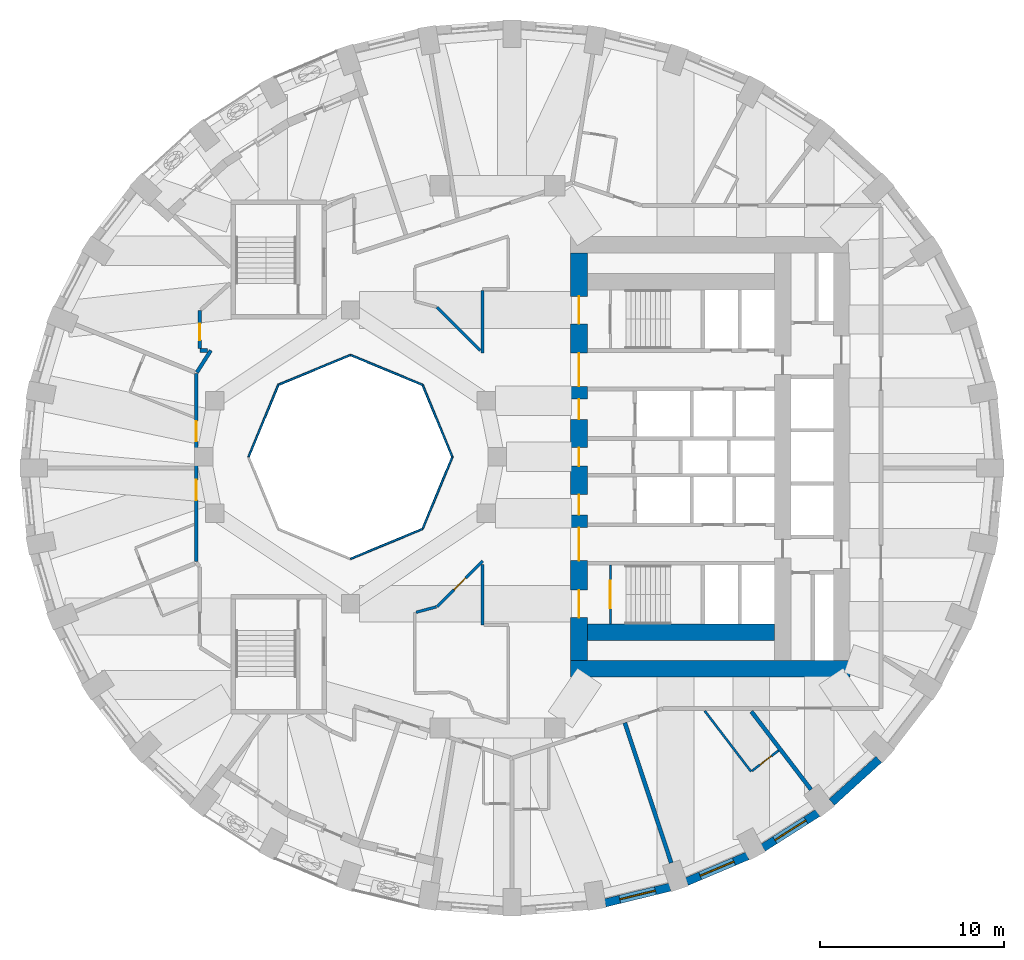
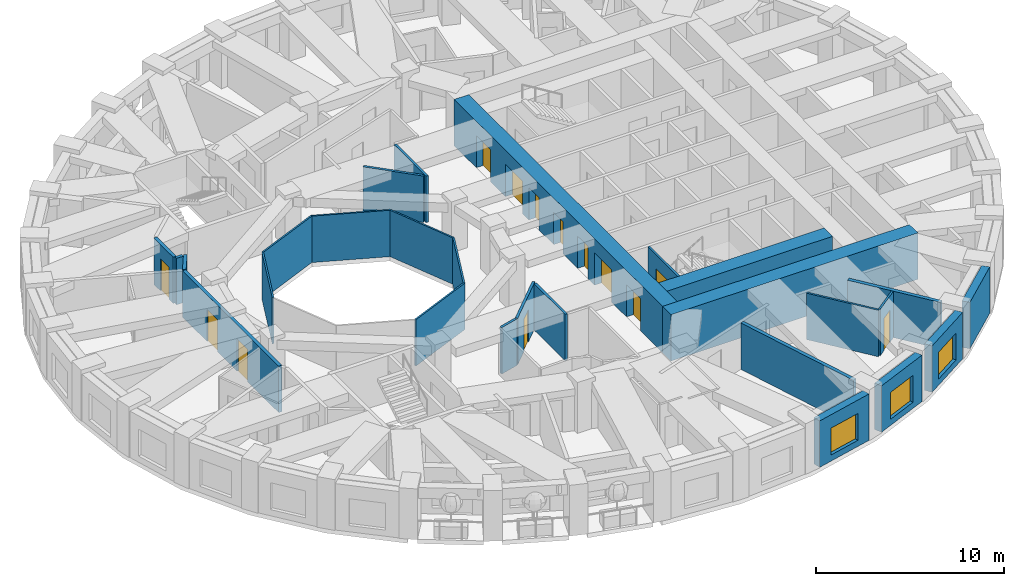
# One storey, part 5 of 12: 27 walls, 13 doors, 3 windows, 16 openings.
"""IFC4 building model written with IfcOpenShell, lengths in metres."""

import ifcopenshell
import ifcopenshell.guid

model = None  # the IFC model being written
_history = None  # IfcOwnerHistory: only IFC2X3 demands one
_inside = {}  # id of a spatial element -> (the spatial element, [elements in it])
_under = {}  # id of a project, library or spatial element -> (it, [spatial elements below it])
_declared = {}  # id of a project -> (the project, [libraries it declares])
_typed = {}  # id of a type object -> (the type object, [elements of that type])
_made_of = {}  # id of a material, layer set ... -> (it, [elements and type objects made of it])


def new_model(schema):
    """Start an empty IFC model of exactly this schema.

    Asked for "IFC4X3", IfcOpenShell would pick the latest addendum, in which some entities
    have other attributes; the version numbers below select the first issue.
    IFC2X3 requires an IfcOwnerHistory on every rooted entity: one is made here for all.
    """
    global model, _history
    if schema == "IFC4X3":
        model = ifcopenshell.file(schema_version=(4, 3, 0, 0))
    else:
        model = ifcopenshell.file(schema=schema)
    _inside.clear()
    _under.clear()
    _declared.clear()
    _typed.clear()
    _made_of.clear()
    _history = None
    if model.schema == "IFC2X3":
        org = make("IfcOrganization", Name="unknown")
        user = make(
            "IfcPersonAndOrganization",
            ThePerson=make("IfcPerson", FamilyName="unknown"),
            TheOrganization=org,
        )
        app = make(
            "IfcApplication",
            ApplicationDeveloper=org,
            Version="unknown",
            ApplicationFullName="unknown",
            ApplicationIdentifier="unknown",
        )
        _history = make(
            "IfcOwnerHistory",
            OwningUser=user,
            OwningApplication=app,
            ChangeAction="ADDED",
            CreationDate=0,
        )
    return model


def make(cls, **values):
    """One entity of the class cls with the attributes given. An attribute that is None is left unset."""
    return model.create_entity(
        cls, **{name: value for name, value in values.items() if value is not None}
    )


def rooted(cls, **values):
    """An entity with a GlobalId (a new one), such as an element, a storey or a relation."""
    return make(cls, GlobalId=ifcopenshell.guid.new(), OwnerHistory=_history, **values)


def si_unit(unit_type, name, prefix=None):
    """IfcSIUnit, for example si_unit("LENGTHUNIT", "METRE", prefix="MILLI")."""
    return make("IfcSIUnit", UnitType=unit_type, Prefix=prefix, Name=name)


def assignment(units):
    """IfcUnitAssignment: the units of a project."""
    return None if units is None else make("IfcUnitAssignment", Units=units)


def point(xyz):
    """IfcCartesianPoint."""
    return None if xyz is None else make("IfcCartesianPoint", Coordinates=xyz)


def direction(xyz):
    """IfcDirection."""
    return None if xyz is None else make("IfcDirection", DirectionRatios=xyz)


def frame(location, z_axis=None, x_axis=None):
    """IfcAxis2Placement3D, a coordinate frame: its origin and axes. An axis left out is left unset."""
    return make(
        "IfcAxis2Placement3D",
        Location=point(location),
        Axis=direction(z_axis),
        RefDirection=direction(x_axis),
    )


def frame_2d(location, x_axis=None):
    """IfcAxis2Placement2D, a coordinate frame in the plane: its origin and x axis."""
    return make(
        "IfcAxis2Placement2D", Location=point(location), RefDirection=direction(x_axis)
    )


def origin():
    """The frame at (0, 0, 0) with its axes left unset."""
    return frame((0.0, 0.0, 0.0))


def place(relative_to, where):
    """IfcLocalPlacement: puts the frame where relative to a parent placement (None: the world)."""
    return make(
        "IfcLocalPlacement", PlacementRelTo=relative_to, RelativePlacement=where
    )


def context(
    kind, dimensions, precision=None, world=None, true_north=None, identifier=None
):
    """IfcGeometricRepresentationContext, for example the 3D "Model" context."""
    return make(
        "IfcGeometricRepresentationContext",
        ContextIdentifier=identifier,
        ContextType=kind,
        CoordinateSpaceDimension=dimensions,
        Precision=precision,
        WorldCoordinateSystem=world,
        TrueNorth=true_north,
    )


def subcontext(parent, identifier, kind, view, scale=None):
    """IfcGeometricRepresentationSubContext, for example "Body" below "Model"."""
    return make(
        "IfcGeometricRepresentationSubContext",
        ContextIdentifier=identifier,
        ContextType=kind,
        ParentContext=parent,
        TargetScale=scale,
        TargetView=view,
    )


def project(units=None, contexts=None):
    """IfcProject with its units and contexts."""
    return rooted(
        "IfcProject",
        Name="project",
        RepresentationContexts=contexts,
        UnitsInContext=assignment(units),
    )


def spatial(cls, under=None, at=None, **own):
    """A site, building, storey or space (cls), placed at a placement, below another one or the project."""
    s = rooted(cls, ObjectPlacement=at, **own)
    if under is not None:
        _under.setdefault(under.id(), (under, []))[1].append(s)
    return s


def profile(cls, at=None, kind="AREA", **sizes):
    """A parametric profile (cls). Its sizes go by their IFC names, for example OverallWidth=200.0."""
    return make(cls, ProfileType=kind, Position=at, **sizes)


def rectangle(**sizes):
    """IfcRectangleProfileDef."""
    return profile("IfcRectangleProfileDef", **sizes)


def extrude(swept, where, along, depth):
    """IfcExtrudedAreaSolid: the profile swept, set in the frame where, extruded along a direction by depth."""
    return make(
        "IfcExtrudedAreaSolid",
        SweptArea=swept,
        Position=where,
        ExtrudedDirection=direction(along),
        Depth=depth,
    )


def shape(context_of_items, identifier, shape_type, items):
    """IfcShapeRepresentation: the items that make up one representation, for example the "Body"."""
    return make(
        "IfcShapeRepresentation",
        ContextOfItems=context_of_items,
        RepresentationIdentifier=identifier,
        RepresentationType=shape_type,
        Items=items,
    )


def material(Name=None, Category=None):
    """IfcMaterial."""
    return make("IfcMaterial", Name=Name, Category=Category)


def layer(
    of_material, thickness, ventilated=None, Name=None, Category=None, Priority=None
):
    """IfcMaterialLayer: one layer of a wall or slab, of a material (None: an air gap)."""
    return make(
        "IfcMaterialLayer",
        Material=of_material,
        LayerThickness=thickness,
        IsVentilated=ventilated,
        Name=Name,
        Category=Category,
        Priority=Priority,
    )


def layer_set(layers, Name=None):
    """IfcMaterialLayerSet."""
    return make("IfcMaterialLayerSet", MaterialLayers=layers, LayerSetName=Name)


def made_of(thing, what):
    """Note that an element or type object is made of a material, layer set ...; save() writes the relation."""
    if what is not None:
        _made_of.setdefault(what.id(), (what, []))[1].append(thing)
    return thing


def type_object(cls, material=None, **own):
    """A type object (cls), such as IfcWallType, which elements share."""
    return made_of(rooted(cls, **own), material)


def element(
    cls,
    number,
    at=None,
    inside=None,
    cuts=None,
    type_object=None,
    material=None,
    context=None,
    identifier="Body",
    shape_type=None,
    held_by="IfcProductDefinitionShape",
    body=None,
    shapes=None,
    **own,
):
    """One element of the class cls, such as IfcWall. Its Tag is "e" and its number.

    at: its placement. inside: the storey or other place that contains it. cuts: it is an
    opening in that element (IfcRelVoidsElement). A single representation is given by context,
    identifier, shape_type and body (its items); several are given by shapes. held_by: the class
    of the entity that holds the representations. save() writes the other relations.
    """
    e = rooted(cls, Tag="e%d" % number, ObjectPlacement=at, **own)
    if body is not None:
        shapes = [shape(context, identifier, shape_type, body)]
    if shapes is not None:
        e.Representation = make(held_by, Representations=shapes)
    if inside is not None:
        _inside.setdefault(inside.id(), (inside, []))[1].append(e)
    if cuts is not None:
        rooted(
            "IfcRelVoidsElement", RelatingBuildingElement=cuts, RelatedOpeningElement=e
        )
    if type_object is not None:
        _typed.setdefault(type_object.id(), (type_object, []))[1].append(e)
    return made_of(e, material)


def fill(opening, filler):
    """IfcRelFillsElement: the door or window that sits in an opening."""
    return rooted(
        "IfcRelFillsElement",
        RelatingOpeningElement=opening,
        RelatedBuildingElement=filler,
    )


def aggregate(whole, parts):
    """IfcRelAggregates: a whole, such as a stair, and the parts it consists of."""
    return rooted("IfcRelAggregates", RelatingObject=whole, RelatedObjects=parts)


def save(model, path):
    """Write the relations noted so far, then the file.

    IfcRelAggregates (storeys below a building ...), IfcRelContainedInSpatialStructure (elements
    in a storey), IfcRelDefinesByType, IfcRelAssociatesMaterial and IfcRelDeclares: one each for
    every whole, place, type object, material and project.
    """
    for whole, parts in _under.values():
        aggregate(whole, parts)
    for where, things in _inside.values():
        rooted(
            "IfcRelContainedInSpatialStructure",
            RelatedElements=things,
            RelatingStructure=where,
        )
    for kind, things in _typed.values():
        rooted("IfcRelDefinesByType", RelatedObjects=things, RelatingType=kind)
    for what, things in _made_of.values():
        rooted("IfcRelAssociatesMaterial", RelatedObjects=things, RelatingMaterial=what)
    for by, libraries in _declared.values():
        rooted("IfcRelDeclares", RelatingContext=by, RelatedDefinitions=libraries)
    model.write(path)


model = new_model("IFC4")

# Units and contexts
model_context = context("Model", 3, precision=1e-05, world=origin(), true_north=direction((0.0, 1.0)))
body_context = subcontext(model_context, "Body", "Model", "MODEL_VIEW")
ifc_project = project(units=[si_unit("LENGTHUNIT", "METRE"), si_unit("AREAUNIT", "SQUARE_METRE"), si_unit("VOLUMEUNIT", "CUBIC_METRE"), si_unit("PLANEANGLEUNIT", "RADIAN"), si_unit("MASSUNIT", "GRAM", prefix="KILO")], contexts=[model_context])

# Site, building, storey
site_placement = place(None, origin())
site = spatial("IfcSite", under=ifc_project, at=site_placement, CompositionType="ELEMENT")
building_placement = place(site_placement, origin())
building = spatial("IfcBuilding", under=site, at=building_placement, Name="Taillehof Tower", CompositionType="ELEMENT")
storey_placement = place(building_placement, frame((0.0, 0.0, 125.199951171875)))
storey = spatial("IfcBuildingStorey", under=building, at=storey_placement, Name="L35", CompositionType="ELEMENT", Elevation=125.199951171875)

# Walls
ifc_material_1 = material(Name="Fire-resisting glass in steel frame", Category="steel")
ifc_layer_1 = layer(ifc_material_1, 0.10009765625)
ifc_layer_set_1 = layer_set([ifc_layer_1], Name="Atrium fire-resisting screen EI 60 100")
wall_type_1 = type_object("IfcWallType", Name="Atrium fire-resisting screen EI 60 100", PredefinedType="PARTITIONING", material=ifc_layer_set_1)
for number, where, z_axis, x_axis, name in (
    (1, (-2.44580078125, 0.0, 0.0), (0.0, 0.0, 1.0), (-0.382730523909, -0.923860025149, 0.0), "Atrium screen"),
    (2, (-4.07275390625, -3.92724609375, 0.0), (0.0, 0.0, 1.0), (-0.923860025149, -0.382730523909, 0.0), "Atrium screen"),
    (3, (-13.55419921875, 0.0, 0.0), (0.0, 0.0, 1.0), (0.382730523909, 0.923860025149, 0.0), "Atrium screen"),
    (4, (-11.92724609375, 3.92724609375, 0.0), (0.0, 0.0, 1.0), (0.923860025149, 0.382730523909, 0.0), "Atrium screen"),
    (5, (-8.0, 5.55419921875, 0.0), (0.0, 0.0, 1.0), (0.923860025149, -0.382730523909, 0.0), "Atrium screen"),
    (6, (-4.07275390625, 3.92724609375, 0.0), (0.0, 0.0, 1.0), (0.382730523909, -0.923860025149, 0.0), "Atrium screen"),
):
    element("IfcWall", number, at=place(storey_placement, frame(where, z_axis=z_axis, x_axis=x_axis)), inside=storey, type_object=wall_type_1, Name=name, PredefinedType="PARTITIONING", context=body_context, shape_type="SweptSolid", body=[
        extrude(rectangle(XDim=4.2509765625, YDim=0.10009765625, at=frame_2d((2.12548828125, 0.0))), origin(), (0.0, 0.0, 1.0), 3.02001953125),
    ])

# Wall, opening, window
ifc_material_2 = material(Name="Brick masonry", Category="masonry")
ifc_layer_2 = layer(ifc_material_2, 0.449951171875)
ifc_layer_set_2 = layer_set([ifc_layer_2], Name="Brick infill wall 450")
wall_type_2 = type_object("IfcWallType", Name="Brick infill wall 450", PredefinedType="SOLIDWALL", material=ifc_layer_set_2)
wall_1_placement = place(storey_placement, frame((5.87451171875, -24.29443359375, 0.0), z_axis=(0.0, 0.0, 1.0), x_axis=(0.971667603162, 0.236351579148, 0.0)))
wall_1 = element("IfcWall", 7, at=wall_1_placement, inside=storey, type_object=wall_type_2, Name="Brick wall L35 bay 29", PredefinedType="SOLIDWALL", context=body_context, shape_type="SweptSolid", body=[
    extrude(rectangle(XDim=3.635009765625, YDim=0.449951171875, at=frame_2d((1.8173828125, 0.0))), origin(), (0.0, 0.0, 1.0), 3.02001953125),
])
opening_1_placement = place(wall_1_placement, frame((0.8173828125, 0.0, 0.39990234375)))
opening_1 = element("IfcOpeningElement", 8, at=opening_1_placement, cuts=wall_1, Name="Opening W2", PredefinedType="OPENING", context=body_context, shape_type="SweptSolid", body=[
    extrude(rectangle(XDim=2.0, YDim=1.75, at=frame_2d((1.0, 0.875))), frame((0.0, 0.23486328125, 0.0), z_axis=(0.0, -1.0, 0.0), x_axis=(1.0, 0.0, 0.0)), (0.0, 0.0, 1.0), 0.469970703125),
])
ifc_material_3 = material(Name="Aluminium window frame with clear double glazing", Category="aluminium")
window_type = type_object("IfcWindowType", Name="Deep-set window 2000x1750", PartitioningType="SINGLE_PANEL", PredefinedType="WINDOW", material=ifc_material_3)
window_1_placement = place(opening_1_placement, origin())
window_1 = element("IfcWindow", 9, at=window_1_placement, inside=storey, type_object=window_type, Name="W2", OverallHeight=1.75, OverallWidth=2.0, PartitioningType="SINGLE_PANEL", PredefinedType="WINDOW", context=body_context, shape_type="SweptSolid", body=[
    extrude(rectangle(XDim=2.0, YDim=1.75, at=frame_2d((1.0, 0.875))), frame((0.0, 0.034912109375, 0.0), z_axis=(0.0, -1.0, 0.0), x_axis=(1.0, 0.0, 0.0)), (0.0, 0.0, 1.0), 0.06005859375),
])
fill(opening_1, window_1)

wall_2_placement = place(storey_placement, frame((10.318115234375, -23.133544921875, 0.0), z_axis=(0.0, 0.0, 1.0), x_axis=(0.920869643542, 0.389870619055, 0.0)))
wall_2 = element("IfcWall", 10, at=wall_2_placement, inside=storey, type_object=wall_type_2, Name="Brick wall L35 bay 30", PredefinedType="SOLIDWALL", context=body_context, shape_type="SweptSolid", body=[
    extrude(rectangle(XDim=3.59130859375, YDim=0.449951171875, at=frame_2d((1.795654296875, 0.0))), origin(), (0.0, 0.0, 1.0), 3.02001953125),
])
opening_2_placement = place(wall_2_placement, frame((0.795654296875, 0.0, 0.39990234375)))
opening_2 = element("IfcOpeningElement", 11, at=opening_2_placement, cuts=wall_2, Name="Opening W2", PredefinedType="OPENING", context=body_context, shape_type="SweptSolid", body=[
    extrude(rectangle(XDim=2.0, YDim=1.75, at=frame_2d((1.0, 0.875))), frame((0.0, 0.23486328125, 0.0), z_axis=(0.0, -1.0, 0.0), x_axis=(1.0, 0.0, 0.0)), (0.0, 0.0, 1.0), 0.469970703125),
])
window_2_placement = place(opening_2_placement, origin())
window_2 = element("IfcWindow", 12, at=window_2_placement, inside=storey, type_object=window_type, Name="W2", OverallHeight=1.75, OverallWidth=2.0, PartitioningType="SINGLE_PANEL", PredefinedType="WINDOW", context=body_context, shape_type="SweptSolid", body=[
    extrude(rectangle(XDim=2.0, YDim=1.75, at=frame_2d((1.0, 0.875))), frame((0.0, 0.034912109375, 0.0), z_axis=(0.0, -1.0, 0.0), x_axis=(1.0, 0.0, 0.0)), (0.0, 0.0, 1.0), 0.06005859375),
])
fill(opening_2, window_2)

wall_3_placement = place(storey_placement, frame((14.475341796875, -21.287109375, 0.0), z_axis=(0.0, 0.0, 1.0), x_axis=(0.843911841423, 0.536481876587, 0.0)))
wall_3 = element("IfcWall", 13, at=wall_3_placement, inside=storey, type_object=wall_type_2, Name="Brick wall L35 bay 31", PredefinedType="SOLIDWALL", context=body_context, shape_type="SweptSolid", body=[
    extrude(rectangle(XDim=3.5322265625, YDim=0.449951171875, at=frame_2d((1.76611328125, 0.0))), origin(), (0.0, 0.0, 1.0), 3.02001953125),
])
opening_3_placement = place(wall_3_placement, frame((0.76611328125, 0.0, 0.39990234375)))
opening_3 = element("IfcOpeningElement", 14, at=opening_3_placement, cuts=wall_3, Name="Opening W2", PredefinedType="OPENING", context=body_context, shape_type="SweptSolid", body=[
    extrude(rectangle(XDim=2.0, YDim=1.75, at=frame_2d((1.0, 0.875))), frame((0.0, 0.23486328125, 0.0), z_axis=(0.0, -1.0, 0.0), x_axis=(1.0, 0.0, 0.0)), (0.0, 0.0, 1.0), 0.469970703125),
])
window_3_placement = place(opening_3_placement, origin())
window_3 = element("IfcWindow", 15, at=window_3_placement, inside=storey, type_object=window_type, Name="W2", OverallHeight=1.75, OverallWidth=2.0, PartitioningType="SINGLE_PANEL", PredefinedType="WINDOW", context=body_context, shape_type="SweptSolid", body=[
    extrude(rectangle(XDim=2.0, YDim=1.75, at=frame_2d((1.0, 0.875))), frame((0.0, 0.034912109375, 0.0), z_axis=(0.0, -1.0, 0.0), x_axis=(1.0, 0.0, 0.0)), (0.0, 0.0, 1.0), 0.06005859375),
])
fill(opening_3, window_3)

# Wall
wall_4_placement = place(storey_placement, frame((18.219482421875, -18.8095703125, 0.0), z_axis=(0.0, 0.0, 1.0), x_axis=(0.740364106106, 0.672206062446, 0.0)))
element("IfcWall", 16, at=wall_4_placement, inside=storey, type_object=wall_type_2, Name="Brick wall L35 bay 32", PredefinedType="SOLIDWALL", context=body_context, shape_type="SweptSolid", body=[
    extrude(rectangle(XDim=3.4638671875, YDim=0.449951171875, at=frame_2d((1.73193359375, 0.0))), origin(), (0.0, 0.0, 1.0), 3.02001953125),
])

# Wall, openings, doors
ifc_material_4 = material(Name="Gypsum board on steel studs, two layers each side", Category="steel")
ifc_layer_3 = layer(ifc_material_4, 0.199951171875)
ifc_layer_set_3 = layer_set([ifc_layer_3], Name="Compartment wall corridor 200")
wall_type_3 = type_object("IfcWallType", Name="Compartment wall corridor 200", PredefinedType="PARTITIONING", material=ifc_layer_set_3)
wall_5_placement = place(storey_placement, frame((-16.398193359375, -5.69287109375, 0.0), z_axis=(0.0, 0.0, 1.0), x_axis=(0.0, 1.0, 0.0)))
wall_5 = element("IfcWall", 17, at=wall_5_placement, inside=storey, type_object=wall_type_3, Name="Compartment wall", PredefinedType="PARTITIONING", context=body_context, shape_type="SweptSolid", body=[
    extrude(rectangle(XDim=10.245849609375, YDim=0.199951171875, at=frame_2d((5.123046875, 0.0))), origin(), (0.0, 0.0, 1.0), 3.02001953125),
])
opening_4_placement = place(wall_5_placement, frame((6.53857421875, 0.0, 0.0)))
opening_4 = element("IfcOpeningElement", 18, at=opening_4_placement, cuts=wall_5, Name="Opening D3548", PredefinedType="OPENING", context=body_context, shape_type="SweptSolid", body=[
    extrude(rectangle(XDim=1.10009765625, YDim=2.10009765625, at=frame_2d((0.550048828125, 1.050048828125))), frame((0.0, 0.10986328125, 0.0), z_axis=(0.0, -1.0, 0.0), x_axis=(1.0, 0.0, 0.0)), (0.0, 0.0, 1.0), 0.219970703125),
])
opening_5_placement = place(wall_5_placement, frame((3.33740234375, 0.0, 0.0)))
opening_5 = element("IfcOpeningElement", 19, at=opening_5_placement, cuts=wall_5, Name="Opening D3550", PredefinedType="OPENING", context=body_context, shape_type="SweptSolid", body=[
    extrude(rectangle(XDim=1.10009765625, YDim=2.10009765625, at=frame_2d((0.550048828125, 1.050048828125))), frame((0.0, 0.10986328125, 0.0), z_axis=(0.0, -1.0, 0.0), x_axis=(1.0, 0.0, 0.0)), (0.0, 0.0, 1.0), 0.219970703125),
])
ifc_material_5 = material(Name="Timber door leaf in steel frame", Category="steel")
door_type_1 = type_object("IfcDoorType", Name="Accessible guest room door EI 30 1100 x 2100", OperationType="SINGLE_SWING_LEFT", PredefinedType="DOOR", material=ifc_material_5)
door_1_placement = place(opening_4_placement, origin())
door_1 = element("IfcDoor", 20, at=door_1_placement, inside=storey, type_object=door_type_1, Name="D3548", OperationType="SINGLE_SWING_RIGHT", OverallHeight=2.10009765625, OverallWidth=1.10009765625, PredefinedType="DOOR", context=body_context, shape_type="SweptSolid", body=[
    extrude(rectangle(XDim=1.10009765625, YDim=2.10009765625, at=frame_2d((0.550048828125, 1.050048828125))), frame((0.0, 0.02490234375, 0.0), z_axis=(0.0, -1.0, 0.0), x_axis=(1.0, 0.0, 0.0)), (0.0, 0.0, 1.0), 0.050048828125),
])
fill(opening_4, door_1)
ifc_material_6 = material(Name="Timber door leaf in steel frame", Category="steel")
door_type_2 = type_object("IfcDoorType", Name="Suite entrance door EI 30 1100 x 2100", OperationType="SINGLE_SWING_LEFT", PredefinedType="DOOR", material=ifc_material_6)
door_2_placement = place(opening_5_placement, origin())
door_2 = element("IfcDoor", 21, at=door_2_placement, inside=storey, type_object=door_type_2, Name="D3550", OperationType="SINGLE_SWING_RIGHT", OverallHeight=2.10009765625, OverallWidth=1.10009765625, PredefinedType="DOOR", context=body_context, shape_type="SweptSolid", body=[
    extrude(rectangle(XDim=1.10009765625, YDim=2.10009765625, at=frame_2d((0.550048828125, 1.050048828125))), frame((0.0, 0.02490234375, 0.0), z_axis=(0.0, -1.0, 0.0), x_axis=(1.0, 0.0, 0.0)), (0.0, 0.0, 1.0), 0.050048828125),
])
fill(opening_5, door_2)

# Walls
wall_6_placement = place(storey_placement, frame((-16.365966796875, 4.603515625, 0.0), z_axis=(0.0, 0.0, 1.0), x_axis=(0.536775234189, 0.843725279911, 0.0)))
element("IfcWall", 22, at=wall_6_placement, inside=storey, type_object=wall_type_3, Name="Compartment wall", PredefinedType="PARTITIONING", context=body_context, shape_type="SweptSolid", body=[
    extrude(rectangle(XDim=1.418212890625, YDim=0.199951171875, at=frame_2d((0.708984375, 0.0))), origin(), (0.0, 0.0, 1.0), 3.02001953125),
])
wall_7_placement = place(storey_placement, frame((-15.784912109375, 5.800048828125, 0.0), z_axis=(0.0, 0.0, 1.0), x_axis=(-1.0, 0.0, 0.0)))
element("IfcWall", 23, at=wall_7_placement, inside=storey, type_object=wall_type_3, Name="Compartment wall", PredefinedType="PARTITIONING", context=body_context, shape_type="SweptSolid", body=[
    extrude(rectangle(XDim=0.4150390625, YDim=0.199951171875, at=frame_2d((0.20751953125, 0.0))), origin(), (0.0, 0.0, 1.0), 3.02001953125),
])

# Wall, opening, door
wall_8_placement = place(storey_placement, frame((-16.199951171875, 5.900146484375, 0.0), z_axis=(0.0, 0.0, 1.0), x_axis=(0.0, 1.0, 0.0)))
wall_8 = element("IfcWall", 24, at=wall_8_placement, inside=storey, type_object=wall_type_3, Name="Compartment wall", PredefinedType="PARTITIONING", context=body_context, shape_type="SweptSolid", body=[
    extrude(rectangle(XDim=2.064697265625, YDim=0.199951171875, at=frame_2d((1.0322265625, 0.0))), origin(), (0.0, 0.0, 1.0), 3.02001953125),
])
opening_6_placement = place(wall_8_placement, frame((0.461669921875, 0.0, 0.0)))
opening_6 = element("IfcOpeningElement", 25, at=opening_6_placement, cuts=wall_8, Name="Opening D3547", PredefinedType="OPENING", context=body_context, shape_type="SweptSolid", body=[
    extrude(rectangle(XDim=0.89990234375, YDim=2.10009765625, at=frame_2d((0.449951171875, 1.050048828125))), frame((0.0, 0.10986328125, 0.0), z_axis=(0.0, -1.0, 0.0), x_axis=(1.0, 0.0, 0.0)), (0.0, 0.0, 1.0), 0.219970703125),
])
ifc_material_7 = material(Name="Timber door leaf in steel frame", Category="steel")
door_type_3 = type_object("IfcDoorType", Name="Service room door EI 30 900 x 2100", OperationType="SINGLE_SWING_LEFT", PredefinedType="DOOR", material=ifc_material_7)
door_3_placement = place(opening_6_placement, origin())
door_3 = element("IfcDoor", 26, at=door_3_placement, inside=storey, type_object=door_type_3, Name="D3547", OperationType="SINGLE_SWING_LEFT", OverallHeight=2.10009765625, OverallWidth=0.89990234375, PredefinedType="DOOR", context=body_context, shape_type="SweptSolid", body=[
    extrude(rectangle(XDim=0.89990234375, YDim=2.10009765625, at=frame_2d((0.449951171875, 1.050048828125))), frame((0.0, 0.02490234375, 0.0), z_axis=(0.0, -1.0, 0.0), x_axis=(1.0, 0.0, 0.0)), (0.0, 0.0, 1.0), 0.050048828125),
])
fill(opening_6, door_3)

# Walls
ifc_material_8 = material(Name="Gypsum board on double steel studs with mineral wool", Category="steel")
ifc_layer_4 = layer(ifc_material_8, 0.219970703125)
ifc_layer_set_4 = layer_set([ifc_layer_4], Name="Compartment wall guest room 220")
wall_type_4 = type_object("IfcWallType", Name="Compartment wall guest room 220", PredefinedType="PARTITIONING", material=ifc_layer_set_4)
wall_9_placement = place(storey_placement, frame((9.4736328125, -22.11181640625, 0.0), z_axis=(0.0, 0.0, 1.0), x_axis=(-0.314531362585, 0.949247081613, 0.0)))
element("IfcWall", 27, at=wall_9_placement, inside=storey, type_object=wall_type_4, Name="Compartment wall", PredefinedType="PARTITIONING", context=body_context, shape_type="SweptSolid", body=[
    extrude(rectangle(XDim=8.032958984375, YDim=0.219970703125, at=frame_2d((4.0166015625, 0.0))), origin(), (0.0, 0.0, 1.0), 3.02001953125),
])
wall_10_placement = place(storey_placement, frame((17.08935546875, -18.120849609375, 0.0), z_axis=(0.0, 0.0, 1.0), x_axis=(-0.607049146133, 0.794664290238, 0.0)))
element("IfcWall", 28, at=wall_10_placement, inside=storey, type_object=wall_type_4, Name="Compartment wall", PredefinedType="PARTITIONING", context=body_context, shape_type="SweptSolid", body=[
    extrude(rectangle(XDim=5.357421875, YDim=0.219970703125, at=frame_2d((2.6787109375, 0.0))), origin(), (0.0, 0.0, 1.0), 3.02001953125),
])
ifc_material_9 = material(Name="Gypsum board on steel studs, two layers each side", Category="steel")
ifc_layer_5 = layer(ifc_material_9, 0.14990234375)
ifc_layer_set_5 = layer_set([ifc_layer_5], Name="Compartment wall service room 150")
wall_type_5 = type_object("IfcWallType", Name="Compartment wall service room 150", PredefinedType="PARTITIONING", material=ifc_layer_set_5)
wall_11_placement = place(storey_placement, frame((-0.800048828125, 9.06982421875, 0.0), z_axis=(0.0, 0.0, 1.0), x_axis=(0.0, -1.0, 0.0)))
element("IfcWall", 29, at=wall_11_placement, inside=storey, type_object=wall_type_5, Name="Compartment wall", PredefinedType="PARTITIONING", context=body_context, shape_type="SweptSolid", body=[
    extrude(rectangle(XDim=3.400390625, YDim=0.14990234375, at=frame_2d((1.7001953125, 0.0))), origin(), (0.0, 0.0, 1.0), 3.02001953125),
])
wall_12_placement = place(storey_placement, frame((-0.927490234375, 5.796875, 0.0), z_axis=(0.0, 0.0, 1.0), x_axis=(-0.707106781187, 0.707106781187, 0.0)))
element("IfcWall", 30, at=wall_12_placement, inside=storey, type_object=wall_type_5, Name="Compartment wall", PredefinedType="PARTITIONING", context=body_context, shape_type="SweptSolid", body=[
    extrude(rectangle(XDim=3.340576171875, YDim=0.14990234375, at=frame_2d((1.67041015625, 0.0))), origin(), (0.0, 0.0, 1.0), 3.02001953125),
])

# Wall, opening, door
wall_13_placement = place(storey_placement, frame((-3.28955078125, -8.158935546875, 0.0), z_axis=(0.0, 0.0, 1.0), x_axis=(0.707106781187, 0.707106781187, 0.0)))
wall_13 = element("IfcWall", 31, at=wall_13_placement, inside=storey, type_object=wall_type_5, Name="Compartment wall", PredefinedType="PARTITIONING", context=body_context, shape_type="SweptSolid", body=[
    extrude(rectangle(XDim=3.520751953125, YDim=0.14990234375, at=frame_2d((1.76025390625, 0.0))), origin(), (0.0, 0.0, 1.0), 3.02001953125),
])
opening_7_placement = place(wall_13_placement, frame((1.310302734375, 0.0, 0.0)))
opening_7 = element("IfcOpeningElement", 32, at=opening_7_placement, cuts=wall_13, Name="Opening D3567", PredefinedType="OPENING", context=body_context, shape_type="SweptSolid", body=[
    extrude(rectangle(XDim=0.89990234375, YDim=2.10009765625, at=frame_2d((0.449951171875, 1.050048828125))), frame((0.0, 0.0849609375, 0.0), z_axis=(0.0, -1.0, 0.0), x_axis=(1.0, 0.0, 0.0)), (0.0, 0.0, 1.0), 0.169921875),
])
door_4_placement = place(opening_7_placement, origin())
door_4 = element("IfcDoor", 33, at=door_4_placement, inside=storey, type_object=door_type_3, Name="D3567", OperationType="SINGLE_SWING_LEFT", OverallHeight=2.10009765625, OverallWidth=0.89990234375, PredefinedType="DOOR", context=body_context, shape_type="SweptSolid", body=[
    extrude(rectangle(XDim=0.89990234375, YDim=2.10009765625, at=frame_2d((0.449951171875, 1.050048828125))), frame((0.0, 0.02490234375, 0.0), z_axis=(0.0, -1.0, 0.0), x_axis=(1.0, 0.0, 0.0)), (0.0, 0.0, 1.0), 0.050048828125),
])
fill(opening_7, door_4)

# Walls
wall_14_placement = place(storey_placement, frame((-0.800048828125, -5.849609375, 0.0), z_axis=(0.0, 0.0, 1.0), x_axis=(0.0, -1.0, 0.0)))
element("IfcWall", 34, at=wall_14_placement, inside=storey, type_object=wall_type_5, Name="Compartment wall", PredefinedType="PARTITIONING", context=body_context, shape_type="SweptSolid", body=[
    extrude(rectangle(XDim=3.30029296875, YDim=0.14990234375, at=frame_2d((1.650146484375, 0.0))), origin(), (0.0, 0.0, 1.0), 3.02001953125),
])
wall_15_placement = place(storey_placement, frame((-4.4228515625, -8.462646484375, 0.0), z_axis=(0.0, 0.0, 1.0), x_axis=(0.965898042479, 0.258922713439, 0.0)))
element("IfcWall", 35, at=wall_15_placement, inside=storey, type_object=wall_type_5, Name="Compartment wall", PredefinedType="PARTITIONING", context=body_context, shape_type="SweptSolid", body=[
    extrude(rectangle(XDim=1.13330078125, YDim=0.14990234375, at=frame_2d((0.566650390625, 0.0))), origin(), (0.0, 0.0, 1.0), 3.02001953125),
])

# Wall, openings, doors
ifc_material_10 = material(Name="Concrete C80/95", Category="concrete")
ifc_layer_6 = layer(ifc_material_10, 0.89990234375)
ifc_layer_set_6 = layer_set([ifc_layer_6], Name="Core wall C80/95 900")
wall_type_6 = type_object("IfcWallType", Name="Core wall C80/95 900", PredefinedType="SHEAR", material=ifc_layer_set_6)
wall_16_placement = place(storey_placement, frame((4.449951171875, -11.10009765625, 0.0), z_axis=(0.0, 0.0, 1.0), x_axis=(0.0, 1.0, 0.0)))
wall_16 = element("IfcWall", 36, at=wall_16_placement, inside=storey, type_object=wall_type_6, Name="Core wall CW01", PredefinedType="SHEAR", context=body_context, shape_type="SweptSolid", body=[
    extrude(rectangle(XDim=22.2001953125, YDim=0.89990234375, at=frame_2d((11.10009765625, 0.0))), origin(), (0.0, 0.0, 1.0), 3.02001953125),
])
opening_8_placement = place(wall_16_placement, frame((2.35009765625, 0.0, 0.0)))
opening_8 = element("IfcOpeningElement", 37, at=opening_8_placement, cuts=wall_16, Name="Opening D3501", PredefinedType="OPENING", context=body_context, shape_type="SweptSolid", body=[
    extrude(rectangle(XDim=1.5, YDim=2.10009765625, at=frame_2d((0.75, 1.050048828125))), frame((0.0, 0.4599609375, 0.0), z_axis=(0.0, -1.0, 0.0), x_axis=(1.0, 0.0, 0.0)), (0.0, 0.0, 1.0), 0.919921875),
])
opening_9_placement = place(wall_16_placement, frame((5.449951171875, 0.0, 0.0)))
opening_9 = element("IfcOpeningElement", 38, at=opening_9_placement, cuts=wall_16, Name="Opening D3502", PredefinedType="OPENING", context=body_context, shape_type="SweptSolid", body=[
    extrude(rectangle(XDim=1.800048828125, YDim=2.10009765625, at=frame_2d((0.89990234375, 1.050048828125))), frame((0.0, 0.4599609375, 0.0), z_axis=(0.0, -1.0, 0.0), x_axis=(1.0, 0.0, 0.0)), (0.0, 0.0, 1.0), 0.919921875),
])
opening_10_placement = place(wall_16_placement, frame((7.949951171875, 0.0, 0.0)))
opening_10 = element("IfcOpeningElement", 39, at=opening_10_placement, cuts=wall_16, Name="Opening D3503", PredefinedType="OPENING", context=body_context, shape_type="SweptSolid", body=[
    extrude(rectangle(XDim=1.10009765625, YDim=2.10009765625, at=frame_2d((0.550048828125, 1.050048828125))), frame((0.0, 0.4599609375, 0.0), z_axis=(0.0, -1.0, 0.0), x_axis=(1.0, 0.0, 0.0)), (0.0, 0.0, 1.0), 0.919921875),
])
opening_11_placement = place(wall_16_placement, frame((10.60009765625, 0.0, 0.0)))
opening_11 = element("IfcOpeningElement", 40, at=opening_11_placement, cuts=wall_16, Name="Opening D3504", PredefinedType="OPENING", context=body_context, shape_type="SweptSolid", body=[
    extrude(rectangle(XDim=1.0, YDim=2.10009765625, at=frame_2d((0.5, 1.050048828125))), frame((0.0, 0.4599609375, 0.0), z_axis=(0.0, -1.0, 0.0), x_axis=(1.0, 0.0, 0.0)), (0.0, 0.0, 1.0), 0.919921875),
])
opening_12_placement = place(wall_16_placement, frame((13.14990234375, 0.0, 0.0)))
opening_12 = element("IfcOpeningElement", 41, at=opening_12_placement, cuts=wall_16, Name="Opening D3505", PredefinedType="OPENING", context=body_context, shape_type="SweptSolid", body=[
    extrude(rectangle(XDim=1.10009765625, YDim=2.10009765625, at=frame_2d((0.550048828125, 1.050048828125))), frame((0.0, 0.4599609375, 0.0), z_axis=(0.0, -1.0, 0.0), x_axis=(1.0, 0.0, 0.0)), (0.0, 0.0, 1.0), 0.919921875),
])
opening_13_placement = place(wall_16_placement, frame((14.949951171875, 0.0, 0.0)))
opening_13 = element("IfcOpeningElement", 42, at=opening_13_placement, cuts=wall_16, Name="Opening D3506", PredefinedType="OPENING", context=body_context, shape_type="SweptSolid", body=[
    extrude(rectangle(XDim=1.800048828125, YDim=2.10009765625, at=frame_2d((0.89990234375, 1.050048828125))), frame((0.0, 0.4599609375, 0.0), z_axis=(0.0, -1.0, 0.0), x_axis=(1.0, 0.0, 0.0)), (0.0, 0.0, 1.0), 0.919921875),
])
opening_14_placement = place(wall_16_placement, frame((18.35009765625, 0.0, 0.0)))
opening_14 = element("IfcOpeningElement", 43, at=opening_14_placement, cuts=wall_16, Name="Opening D3507", PredefinedType="OPENING", context=body_context, shape_type="SweptSolid", body=[
    extrude(rectangle(XDim=1.5, YDim=2.10009765625, at=frame_2d((0.75, 1.050048828125))), frame((0.0, 0.4599609375, 0.0), z_axis=(0.0, -1.0, 0.0), x_axis=(1.0, 0.0, 0.0)), (0.0, 0.0, 1.0), 0.919921875),
])
ifc_material_11 = material(Name="Steel-faced fire door", Category="steel")
door_type_4 = type_object("IfcDoorType", Name="Firefighting lobby door 1100x2100", OperationType="SINGLE_SWING_RIGHT", PredefinedType="DOOR", material=ifc_material_11)
door_5_placement = place(opening_10_placement, origin())
door_5 = element("IfcDoor", 44, at=door_5_placement, inside=storey, type_object=door_type_4, Name="Firefighting lobby door FFL-S", OperationType="SINGLE_SWING_RIGHT", OverallHeight=2.10009765625, OverallWidth=1.10009765625, PredefinedType="DOOR", context=body_context, shape_type="SweptSolid", body=[
    extrude(rectangle(XDim=1.10009765625, YDim=2.10009765625, at=frame_2d((0.550048828125, 1.050048828125))), frame((0.0, 0.02490234375, 0.0), z_axis=(0.0, -1.0, 0.0), x_axis=(1.0, 0.0, 0.0)), (0.0, 0.0, 1.0), 0.050048828125),
])
fill(opening_10, door_5)
door_6_placement = place(opening_12_placement, origin())
door_6 = element("IfcDoor", 45, at=door_6_placement, inside=storey, type_object=door_type_4, Name="Firefighting lobby door FFL-N", OperationType="SINGLE_SWING_LEFT", OverallHeight=2.10009765625, OverallWidth=1.10009765625, PredefinedType="DOOR", context=body_context, shape_type="SweptSolid", body=[
    extrude(rectangle(XDim=1.10009765625, YDim=2.10009765625, at=frame_2d((0.550048828125, 1.050048828125))), frame((0.0, 0.02490234375, 0.0), z_axis=(0.0, -1.0, 0.0), x_axis=(1.0, 0.0, 0.0)), (0.0, 0.0, 1.0), 0.050048828125),
])
fill(opening_12, door_6)
ifc_material_12 = material(Name="Steel-faced fire door", Category="steel")
door_type_5 = type_object("IfcDoorType", Name="Lift lobby door 1800x2100", OperationType="DOUBLE_DOOR_SINGLE_SWING", PredefinedType="DOOR", material=ifc_material_12)
door_7_placement = place(opening_9_placement, origin())
door_7 = element("IfcDoor", 46, at=door_7_placement, inside=storey, type_object=door_type_5, Name="Lift lobby door LL-S", OperationType="DOUBLE_DOOR_SINGLE_SWING", OverallHeight=2.10009765625, OverallWidth=1.800048828125, PredefinedType="DOOR", context=body_context, shape_type="SweptSolid", body=[
    extrude(rectangle(XDim=1.800048828125, YDim=2.10009765625, at=frame_2d((0.89990234375, 1.050048828125))), frame((0.0, 0.02490234375, 0.0), z_axis=(0.0, -1.0, 0.0), x_axis=(1.0, 0.0, 0.0)), (0.0, 0.0, 1.0), 0.050048828125),
])
fill(opening_9, door_7)
door_8_placement = place(opening_13_placement, origin())
door_8 = element("IfcDoor", 47, at=door_8_placement, inside=storey, type_object=door_type_5, Name="Lift lobby door LL-N", OperationType="DOUBLE_DOOR_SINGLE_SWING", OverallHeight=2.10009765625, OverallWidth=1.800048828125, PredefinedType="DOOR", context=body_context, shape_type="SweptSolid", body=[
    extrude(rectangle(XDim=1.800048828125, YDim=2.10009765625, at=frame_2d((0.89990234375, 1.050048828125))), frame((0.0, 0.02490234375, 0.0), z_axis=(0.0, -1.0, 0.0), x_axis=(1.0, 0.0, 0.0)), (0.0, 0.0, 1.0), 0.050048828125),
])
fill(opening_13, door_8)
ifc_material_13 = material(Name="Steel-faced fire door", Category="steel")
door_type_6 = type_object("IfcDoorType", Name="Service door 1000x2100", OperationType="SINGLE_SWING_RIGHT", PredefinedType="DOOR", material=ifc_material_13)
door_9_placement = place(opening_11_placement, origin())
door_9 = element("IfcDoor", 48, at=door_9_placement, inside=storey, type_object=door_type_6, Name="Service door SV", OperationType="SINGLE_SWING_RIGHT", OverallHeight=2.10009765625, OverallWidth=1.0, PredefinedType="DOOR", context=body_context, shape_type="SweptSolid", body=[
    extrude(rectangle(XDim=1.0, YDim=2.10009765625, at=frame_2d((0.5, 1.050048828125))), frame((0.0, 0.02490234375, 0.0), z_axis=(0.0, -1.0, 0.0), x_axis=(1.0, 0.0, 0.0)), (0.0, 0.0, 1.0), 0.050048828125),
])
fill(opening_11, door_9)
ifc_material_14 = material(Name="Steel-faced fire door", Category="steel")
door_type_7 = type_object("IfcDoorType", Name="Stair door 1500x2100", OperationType="DOUBLE_DOOR_SINGLE_SWING", PredefinedType="DOOR", material=ifc_material_14)
door_10_placement = place(opening_8_placement, origin())
door_10 = element("IfcDoor", 49, at=door_10_placement, inside=storey, type_object=door_type_7, Name="Stair door S2", OperationType="DOUBLE_DOOR_SINGLE_SWING", OverallHeight=2.10009765625, OverallWidth=1.5, PredefinedType="DOOR", context=body_context, shape_type="SweptSolid", body=[
    extrude(rectangle(XDim=1.5, YDim=2.10009765625, at=frame_2d((0.75, 1.050048828125))), frame((0.0, 0.02490234375, 0.0), z_axis=(0.0, -1.0, 0.0), x_axis=(1.0, 0.0, 0.0)), (0.0, 0.0, 1.0), 0.050048828125),
])
fill(opening_8, door_10)
door_11_placement = place(opening_14_placement, origin())
door_11 = element("IfcDoor", 50, at=door_11_placement, inside=storey, type_object=door_type_7, Name="Stair door S1", OperationType="DOUBLE_DOOR_SINGLE_SWING", OverallHeight=2.10009765625, OverallWidth=1.5, PredefinedType="DOOR", context=body_context, shape_type="SweptSolid", body=[
    extrude(rectangle(XDim=1.5, YDim=2.10009765625, at=frame_2d((0.75, 1.050048828125))), frame((0.0, 0.02490234375, 0.0), z_axis=(0.0, -1.0, 0.0), x_axis=(1.0, 0.0, 0.0)), (0.0, 0.0, 1.0), 0.050048828125),
])
fill(opening_14, door_11)

# Walls
wall_17_placement = place(storey_placement, frame((4.0, -11.550048828125, 0.0), z_axis=(0.0, 0.0, 1.0), x_axis=(1.0, 0.0, 0.0)))
element("IfcWall", 51, at=wall_17_placement, inside=storey, type_object=wall_type_6, Name="Core wall CW04", PredefinedType="SHEAR", context=body_context, shape_type="SweptSolid", body=[
    extrude(rectangle(XDim=15.199951171875, YDim=0.89990234375, at=frame_2d((7.60009765625, 0.0))), origin(), (0.0, 0.0, 1.0), 3.02001953125),
])
wall_18_placement = place(storey_placement, frame((4.89990234375, -9.550048828125, 0.0), z_axis=(0.0, 0.0, 1.0), x_axis=(1.0, 0.0, 0.0)))
element("IfcWall", 52, at=wall_18_placement, inside=storey, type_object=wall_type_6, Name="Core wall CW07", PredefinedType="SHEAR", context=body_context, shape_type="SweptSolid", body=[
    extrude(rectangle(XDim=10.2001953125, YDim=0.89990234375, at=frame_2d((5.10009765625, 0.0))), origin(), (0.0, 0.0, 1.0), 3.02001953125),
])
ifc_material_15 = material(Name="Gypsum board on steel studs, moisture resistant", Category="steel")
ifc_layer_7 = layer(ifc_material_15, 0.1201171875)
ifc_layer_set_7 = layer_set([ifc_layer_7], Name="En-suite wall 120")
wall_type_7 = type_object("IfcWallType", Name="En-suite wall 120", PredefinedType="PARTITIONING", material=ifc_layer_set_7)
wall_19_placement = place(storey_placement, frame((11.2958984375, -13.831787109375, 0.0), z_axis=(0.0, 0.0, 1.0), x_axis=(0.607062475719, -0.794654107505, 0.0)))
element("IfcWall", 53, at=wall_19_placement, inside=storey, type_object=wall_type_7, Name="En-suite wall", PredefinedType="PARTITIONING", context=body_context, shape_type="SweptSolid", body=[
    extrude(rectangle(XDim=4.162109375, YDim=0.1201171875, at=frame_2d((2.0810546875, 0.0))), origin(), (0.0, 0.0, 1.0), 3.02001953125),
])

# Wall, opening, door
wall_20_placement = place(storey_placement, frame((13.8701171875, -17.102783203125, 0.0), z_axis=(0.0, 0.0, 1.0), x_axis=(0.794637937609, 0.607083641776, 0.0)))
wall_20 = element("IfcWall", 54, at=wall_20_placement, inside=storey, type_object=wall_type_7, Name="En-suite wall", PredefinedType="PARTITIONING", context=body_context, shape_type="SweptSolid", body=[
    extrude(rectangle(XDim=1.830078125, YDim=0.1201171875, at=frame_2d((0.9150390625, 0.0))), origin(), (0.0, 0.0, 1.0), 3.02001953125),
])
opening_15_placement = place(wall_20_placement, frame((0.5400390625, 0.0, 0.0)))
opening_15 = element("IfcOpeningElement", 55, at=opening_15_placement, cuts=wall_20, Name="Opening D3561", PredefinedType="OPENING", context=body_context, shape_type="SweptSolid", body=[
    extrude(rectangle(XDim=0.800048828125, YDim=2.10009765625, at=frame_2d((0.39990234375, 1.050048828125))), frame((0.0, 0.070068359375, 0.0), z_axis=(0.0, -1.0, 0.0), x_axis=(1.0, 0.0, 0.0)), (0.0, 0.0, 1.0), 0.14013671875),
])
ifc_material_16 = material(Name="Timber door leaf in steel frame", Category="steel")
door_type_8 = type_object("IfcDoorType", Name="En-suite door 800 x 2100", OperationType="SINGLE_SWING_LEFT", PredefinedType="DOOR", material=ifc_material_16)
door_12_placement = place(opening_15_placement, origin())
door_12 = element("IfcDoor", 56, at=door_12_placement, inside=storey, type_object=door_type_8, Name="D3561", OperationType="SINGLE_SWING_LEFT", OverallHeight=2.10009765625, OverallWidth=0.800048828125, PredefinedType="DOOR", context=body_context, shape_type="SweptSolid", body=[
    extrude(rectangle(XDim=0.800048828125, YDim=2.10009765625, at=frame_2d((0.39990234375, 1.050048828125))), frame((0.0, 0.02490234375, 0.0), z_axis=(0.0, -1.0, 0.0), x_axis=(1.0, 0.0, 0.0)), (0.0, 0.0, 1.0), 0.050048828125),
])
fill(opening_15, door_12)

ifc_material_17 = material(Name="Concrete C50/60", Category="concrete")
ifc_layer_8 = layer(ifc_material_17, 0.1201171875)
ifc_layer_set_8 = layer_set([ifc_layer_8], Name="Stair lobby wall C50/60 120")
wall_type_8 = type_object("IfcWallType", Name="Stair lobby wall C50/60 120", PredefinedType="SHEAR", material=ifc_layer_set_8)
wall_21_placement = place(storey_placement, frame((6.159912109375, -9.10009765625, 0.0), z_axis=(0.0, 0.0, 1.0), x_axis=(0.0, 1.0, 0.0)))
wall_21 = element("IfcWall", 57, at=wall_21_placement, inside=storey, type_object=wall_type_8, Name="Compartment wall SW", PredefinedType="SHEAR", context=body_context, shape_type="SweptSolid", body=[
    extrude(rectangle(XDim=3.2001953125, YDim=0.1201171875, at=frame_2d((1.60009765625, 0.0))), origin(), (0.0, 0.0, 1.0), 3.02001953125),
])
opening_16_placement = place(wall_21_placement, frame((0.85009765625, 0.0, 0.0)))
opening_16 = element("IfcOpeningElement", 58, at=opening_16_placement, cuts=wall_21, Name="Opening D3511", PredefinedType="OPENING", context=body_context, shape_type="SweptSolid", body=[
    extrude(rectangle(XDim=1.5, YDim=2.10009765625, at=frame_2d((0.75, 1.050048828125))), frame((0.0, 0.070068359375, 0.0), z_axis=(0.0, -1.0, 0.0), x_axis=(1.0, 0.0, 0.0)), (0.0, 0.0, 1.0), 0.14013671875),
])
door_13_placement = place(opening_16_placement, origin())
door_13 = element("IfcDoor", 59, at=door_13_placement, inside=storey, type_object=door_type_7, Name="Stair lobby door S2", OperationType="DOUBLE_DOOR_SINGLE_SWING", OverallHeight=2.10009765625, OverallWidth=1.5, PredefinedType="DOOR", context=body_context, shape_type="SweptSolid", body=[
    extrude(rectangle(XDim=1.5, YDim=2.10009765625, at=frame_2d((0.75, 1.050048828125))), frame((0.0, 0.02490234375, 0.0), z_axis=(0.0, -1.0, 0.0), x_axis=(1.0, 0.0, 0.0)), (0.0, 0.0, 1.0), 0.050048828125),
])
fill(opening_16, door_13)

save(model, "model.ifc")
